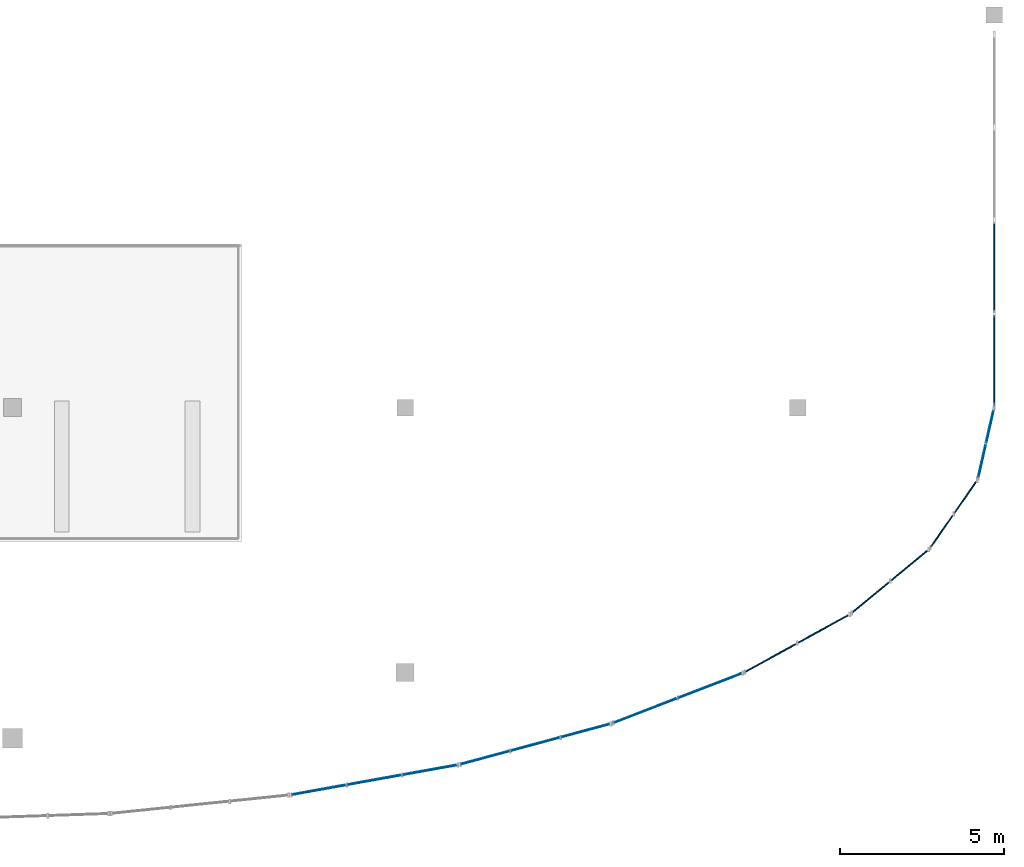
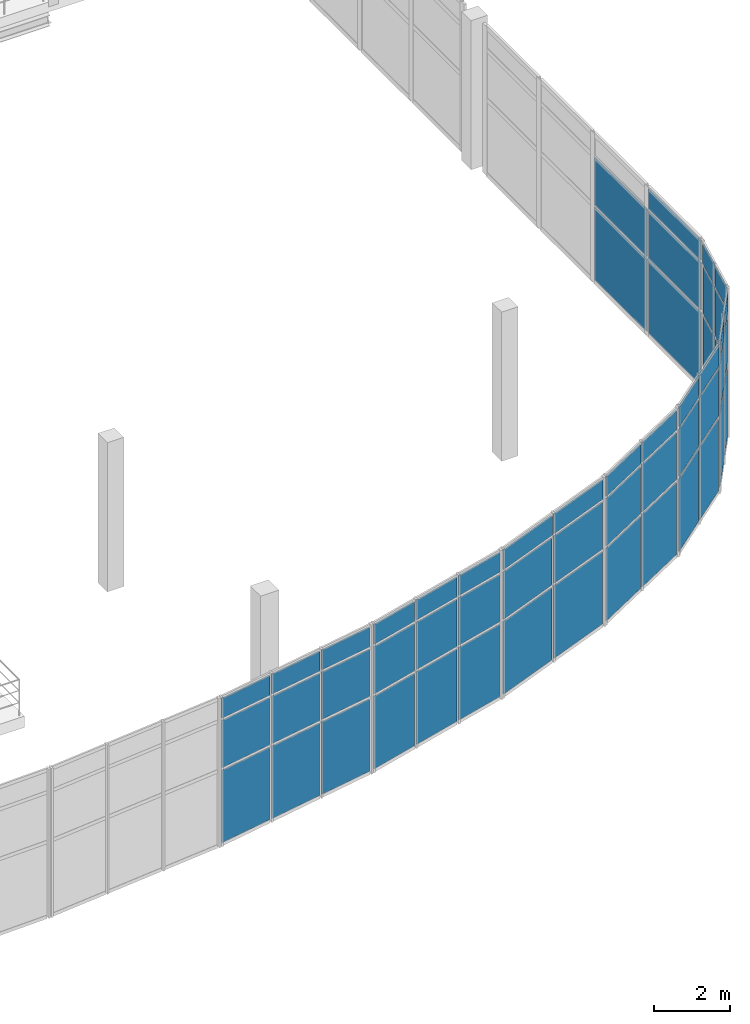
# One storey, part 32 of 52: 53 plates, 8 elements without a shape of their own.
"""IFC4 building model written with IfcOpenShell, lengths in metres."""

from ifc_helpers import new_model, si_unit, direction, frame, origin, origin_2d, place, context, subcontext, project, spatial, rectangle, extrude, material, layer, layer_set, type_object, element, aggregate, save


model = new_model("IFC4")

# Units and contexts
model_context = context("Model", 3, precision=1e-05, world=origin(), true_north=direction((0.0, 1.0)))
body_context = subcontext(model_context, "Body", "Model", "MODEL_VIEW")
ifc_project = project(units=[si_unit("LENGTHUNIT", "METRE"), si_unit("AREAUNIT", "SQUARE_METRE"), si_unit("VOLUMEUNIT", "CUBIC_METRE"), si_unit("PLANEANGLEUNIT", "RADIAN"), si_unit("MASSUNIT", "GRAM", prefix="KILO"), si_unit("THERMODYNAMICTEMPERATUREUNIT", "KELVIN"), si_unit("POWERUNIT", "WATT")], contexts=[model_context])

# Site, building, storey
site_placement = place(None, origin())
site = spatial("IfcSite", under=ifc_project, at=site_placement, CompositionType="ELEMENT")
building_placement = place(site_placement, origin())
building = spatial("IfcBuilding", under=site, at=building_placement, Name="Solmara Park Aquatics Centre", CompositionType="ELEMENT")
storey_placement = place(building_placement, frame((0.0, 0.0, 9.60009765625)))
storey = spatial("IfcBuildingStorey", under=building, at=storey_placement, Name="L02", CompositionType="ELEMENT", Elevation=9.60009765625)

# Curtain wall, plates
ifc_material_1 = material(Name="Anodised Aluminium Curtain Wall Framing", Category="aluminium")
curtain_wall_type = type_object("IfcCurtainWallType", Name="ARC-CW-SYS03", PredefinedType="USERDEFINED", material=ifc_material_1)
curtain_wall_1_placement = place(storey_placement, origin())
curtain_wall_1 = element("IfcCurtainWall", 1, at=curtain_wall_1_placement, inside=storey, type_object=curtain_wall_type, Name="Curtain Wall CW-072", ObjectType="CURTAIN WALL", PredefinedType="USERDEFINED")
ifc_material_2 = material(Name="Acoustic Laminated Glazing", Category="glass")
ifc_layer_1 = layer(ifc_material_2, 0.028076171875, Name="Acoustic Laminated Glazing")
ifc_layer_set_1 = layer_set([ifc_layer_1], Name="Acoustic Laminated Glazing")
plate_type_1 = type_object("IfcPlateType", Name="ARC-CWP-GLZ28-1000x1520", PredefinedType="CURTAIN_PANEL", material=ifc_layer_set_1)
plate_1_placement = place(storey_placement, frame((161.62744140625, 10.958984375, 2.489990234375), z_axis=(0.0, 0.0, 1.0), x_axis=(0.22142084897, 0.975178346582, 0.0)))
plate_1 = element("IfcPlate", 2, at=plate_1_placement, type_object=plate_type_1, Name="CW-072 panel 2", PredefinedType="CURTAIN_PANEL", context=body_context, shape_type="SweptSolid", body=[
    extrude(rectangle(XDim=1.001953125, YDim=0.028076171875, at=origin_2d()), origin(), (0.0, 0.0, 1.0), 1.52001953125),
])
plate_2_placement = place(storey_placement, frame((161.866943359375, 12.013916015625, 2.489990234375), z_axis=(0.0, 0.0, 1.0), x_axis=(0.22142084897, 0.975178346582, 0.0)))
plate_2 = element("IfcPlate", 3, at=plate_2_placement, type_object=plate_type_1, Name="CW-072 panel 5", PredefinedType="CURTAIN_PANEL", context=body_context, shape_type="SweptSolid", body=[
    extrude(rectangle(XDim=1.001953125, YDim=0.028076171875, at=origin_2d()), origin(), (0.0, 0.0, 1.0), 1.52001953125),
])
ifc_layer_2 = layer(ifc_material_2, 0.028076171875, Name="Acoustic Laminated Glazing")
ifc_layer_set_2 = layer_set([ifc_layer_2], Name="Acoustic Laminated Glazing")
plate_type_2 = type_object("IfcPlateType", Name="ARC-CWP-GLZ28-1000x2320", PredefinedType="CURTAIN_PANEL", material=ifc_layer_set_2)
plate_3_placement = place(storey_placement, frame((161.62744140625, 10.958984375, 0.079833984375), z_axis=(0.0, 0.0, 1.0), x_axis=(0.22142084897, 0.975178346582, 0.0)))
plate_3 = element("IfcPlate", 4, at=plate_3_placement, type_object=plate_type_2, Name="CW-072 panel 1", PredefinedType="CURTAIN_PANEL", context=body_context, shape_type="SweptSolid", body=[
    extrude(rectangle(XDim=1.001953125, YDim=0.028076171875, at=origin_2d()), origin(), (0.0, 0.0, 1.0), 2.330078125),
])
plate_4_placement = place(storey_placement, frame((161.866943359375, 12.013916015625, 0.079833984375), z_axis=(0.0, 0.0, 1.0), x_axis=(0.22142084897, 0.975178346582, 0.0)))
plate_4 = element("IfcPlate", 5, at=plate_4_placement, type_object=plate_type_2, Name="CW-072 panel 4", PredefinedType="CURTAIN_PANEL", context=body_context, shape_type="SweptSolid", body=[
    extrude(rectangle(XDim=1.001953125, YDim=0.028076171875, at=origin_2d()), origin(), (0.0, 0.0, 1.0), 2.330078125),
])

curtain_wall_2_placement = place(storey_placement, origin())
curtain_wall_2 = element("IfcCurtainWall", 6, at=curtain_wall_2_placement, inside=storey, type_object=curtain_wall_type, Name="Curtain Wall CW-069", ObjectType="CURTAIN WALL", PredefinedType="USERDEFINED")
ifc_layer_3 = layer(ifc_material_2, 0.028076171875, Name="Acoustic Laminated Glazing")
ifc_layer_set_3 = layer_set([ifc_layer_3], Name="Acoustic Laminated Glazing")
plate_type_3 = type_object("IfcPlateType", Name="ARC-CWP-GLZ28-1180x1520", PredefinedType="CURTAIN_PANEL", material=ifc_layer_set_3)
plate_5_placement = place(storey_placement, frame((160.396728515625, 8.82080078125, 2.489990234375), z_axis=(0.0, 0.0, 1.0), x_axis=(0.570927091568, 0.821000764989, 0.0)))
plate_5 = element("IfcPlate", 7, at=plate_5_placement, type_object=plate_type_3, Name="CW-069 panel 2", PredefinedType="CURTAIN_PANEL", context=body_context, shape_type="SweptSolid", body=[
    extrude(rectangle(XDim=1.172119140625, YDim=0.028076171875, at=origin_2d()), origin(), (0.0, 0.0, 1.0), 1.52001953125),
])
plate_6_placement = place(storey_placement, frame((161.111572265625, 9.848876953125, 2.489990234375), z_axis=(0.0, 0.0, 1.0), x_axis=(0.570927091568, 0.821000764989, 0.0)))
plate_6 = element("IfcPlate", 8, at=plate_6_placement, type_object=plate_type_3, Name="CW-069 panel 5", PredefinedType="CURTAIN_PANEL", context=body_context, shape_type="SweptSolid", body=[
    extrude(rectangle(XDim=1.172119140625, YDim=0.028076171875, at=origin_2d()), origin(), (0.0, 0.0, 1.0), 1.52001953125),
])
ifc_layer_4 = layer(ifc_material_2, 0.028076171875, Name="Acoustic Laminated Glazing")
ifc_layer_set_4 = layer_set([ifc_layer_4], Name="Acoustic Laminated Glazing")
plate_type_4 = type_object("IfcPlateType", Name="ARC-CWP-GLZ28-1180x2320", PredefinedType="CURTAIN_PANEL", material=ifc_layer_set_4)
plate_7_placement = place(storey_placement, frame((160.396728515625, 8.82080078125, 0.079833984375), z_axis=(0.0, 0.0, 1.0), x_axis=(0.570927091568, 0.821000764989, 0.0)))
plate_7 = element("IfcPlate", 9, at=plate_7_placement, type_object=plate_type_4, Name="CW-069 panel 1", PredefinedType="CURTAIN_PANEL", context=body_context, shape_type="SweptSolid", body=[
    extrude(rectangle(XDim=1.172119140625, YDim=0.028076171875, at=origin_2d()), origin(), (0.0, 0.0, 1.0), 2.330078125),
])
plate_8_placement = place(storey_placement, frame((161.111572265625, 9.848876953125, 0.079833984375), z_axis=(0.0, 0.0, 1.0), x_axis=(0.570927091568, 0.821000764989, 0.0)))
plate_8 = element("IfcPlate", 10, at=plate_8_placement, type_object=plate_type_4, Name="CW-069 panel 4", PredefinedType="CURTAIN_PANEL", context=body_context, shape_type="SweptSolid", body=[
    extrude(rectangle(XDim=1.172119140625, YDim=0.028076171875, at=origin_2d()), origin(), (0.0, 0.0, 1.0), 2.330078125),
])

curtain_wall_3_placement = place(storey_placement, origin())
curtain_wall_3 = element("IfcCurtainWall", 11, at=curtain_wall_3_placement, inside=storey, type_object=curtain_wall_type, Name="Curtain Wall CW-066", ObjectType="CURTAIN WALL", PredefinedType="USERDEFINED")
ifc_layer_5 = layer(ifc_material_2, 0.028076171875, Name="Acoustic Laminated Glazing")
ifc_layer_set_5 = layer_set([ifc_layer_5], Name="Acoustic Laminated Glazing")
plate_type_5 = type_object("IfcPlateType", Name="ARC-CWP-GLZ28-1440x1520", PredefinedType="CURTAIN_PANEL", material=ifc_layer_set_5)
plate_9_placement = place(storey_placement, frame((158.22119140625, 6.797607421875, 2.489990234375), z_axis=(0.0, 0.0, 1.0), x_axis=(0.770876909587, 0.636984136589, 0.0)))
plate_9 = element("IfcPlate", 12, at=plate_9_placement, type_object=plate_type_5, Name="CW-066 panel 2", PredefinedType="CURTAIN_PANEL", context=body_context, shape_type="SweptSolid", body=[
    extrude(rectangle(XDim=1.4423828125, YDim=0.028076171875, at=origin_2d()), origin(), (0.0, 0.0, 1.0), 1.52001953125),
])
plate_10_placement = place(storey_placement, frame((159.394775390625, 7.767333984375, 2.489990234375), z_axis=(0.0, 0.0, 1.0), x_axis=(0.770876909587, 0.636984136589, 0.0)))
plate_10 = element("IfcPlate", 13, at=plate_10_placement, type_object=plate_type_5, Name="CW-066 panel 5", PredefinedType="CURTAIN_PANEL", context=body_context, shape_type="SweptSolid", body=[
    extrude(rectangle(XDim=1.4423828125, YDim=0.028076171875, at=origin_2d()), origin(), (0.0, 0.0, 1.0), 1.52001953125),
])
ifc_layer_6 = layer(ifc_material_2, 0.028076171875, Name="Acoustic Laminated Glazing")
ifc_layer_set_6 = layer_set([ifc_layer_6], Name="Acoustic Laminated Glazing")
plate_type_6 = type_object("IfcPlateType", Name="ARC-CWP-GLZ28-1440x2320", PredefinedType="CURTAIN_PANEL", material=ifc_layer_set_6)
plate_11_placement = place(storey_placement, frame((158.22119140625, 6.797607421875, 0.079833984375), z_axis=(0.0, 0.0, 1.0), x_axis=(0.770876909587, 0.636984136589, 0.0)))
plate_11 = element("IfcPlate", 14, at=plate_11_placement, type_object=plate_type_6, Name="CW-066 panel 1", PredefinedType="CURTAIN_PANEL", context=body_context, shape_type="SweptSolid", body=[
    extrude(rectangle(XDim=1.4423828125, YDim=0.028076171875, at=origin_2d()), origin(), (0.0, 0.0, 1.0), 2.330078125),
])
plate_12_placement = place(storey_placement, frame((159.394775390625, 7.767333984375, 0.079833984375), z_axis=(0.0, 0.0, 1.0), x_axis=(0.770876909587, 0.636984136589, 0.0)))
plate_12 = element("IfcPlate", 15, at=plate_12_placement, type_object=plate_type_6, Name="CW-066 panel 4", PredefinedType="CURTAIN_PANEL", context=body_context, shape_type="SweptSolid", body=[
    extrude(rectangle(XDim=1.4423828125, YDim=0.028076171875, at=origin_2d()), origin(), (0.0, 0.0, 1.0), 2.330078125),
])

curtain_wall_4_placement = place(storey_placement, origin())
curtain_wall_4 = element("IfcCurtainWall", 16, at=curtain_wall_4_placement, inside=storey, type_object=curtain_wall_type, Name="Curtain Wall CW-057", ObjectType="CURTAIN WALL", PredefinedType="USERDEFINED")
ifc_layer_7 = layer(ifc_material_2, 0.028076171875, Name="Acoustic Laminated Glazing")
ifc_layer_set_7 = layer_set([ifc_layer_7], Name="Acoustic Laminated Glazing")
plate_type_7 = type_object("IfcPlateType", Name="ARC-CWP-GLZ28-1500x1520", PredefinedType="CURTAIN_PANEL", material=ifc_layer_set_7)
plate_13_placement = place(storey_placement, frame((146.4345703125, 1.89990234375, 2.489990234375), z_axis=(0.0, 0.0, 1.0), x_axis=(0.965480359779, 0.260475862378, 0.0)))
plate_13 = element("IfcPlate", 17, at=plate_13_placement, type_object=plate_type_7, Name="CW-057 panel 2", PredefinedType="CURTAIN_PANEL", context=body_context, shape_type="SweptSolid", body=[
    extrude(rectangle(XDim=1.50537109375, YDim=0.028076171875, at=origin_2d()), origin(), (0.0, 0.0, 1.0), 1.52001953125),
])
plate_14_placement = place(storey_placement, frame((147.96533203125, 2.312744140625, 2.489990234375), z_axis=(0.0, 0.0, 1.0), x_axis=(0.965480359779, 0.260475862378, 0.0)))
plate_14 = element("IfcPlate", 18, at=plate_14_placement, type_object=plate_type_7, Name="CW-057 panel 5", PredefinedType="CURTAIN_PANEL", context=body_context, shape_type="SweptSolid", body=[
    extrude(rectangle(XDim=1.50537109375, YDim=0.028076171875, at=origin_2d()), origin(), (0.0, 0.0, 1.0), 1.52001953125),
])
plate_15_placement = place(storey_placement, frame((149.495849609375, 2.7255859375, 2.489990234375), z_axis=(0.0, 0.0, 1.0), x_axis=(0.965480359779, 0.260475862378, 0.0)))
plate_15 = element("IfcPlate", 19, at=plate_15_placement, type_object=plate_type_7, Name="CW-057 panel 8", PredefinedType="CURTAIN_PANEL", context=body_context, shape_type="SweptSolid", body=[
    extrude(rectangle(XDim=1.505615234375, YDim=0.028076171875, at=origin_2d()), origin(), (0.0, 0.0, 1.0), 1.52001953125),
])
ifc_layer_8 = layer(ifc_material_2, 0.028076171875, Name="Acoustic Laminated Glazing")
ifc_layer_set_8 = layer_set([ifc_layer_8], Name="Acoustic Laminated Glazing")
plate_type_8 = type_object("IfcPlateType", Name="ARC-CWP-GLZ28-1500x2320", PredefinedType="CURTAIN_PANEL", material=ifc_layer_set_8)
plate_16_placement = place(storey_placement, frame((146.4345703125, 1.89990234375, 0.079833984375), z_axis=(0.0, 0.0, 1.0), x_axis=(0.965480359779, 0.260475862378, 0.0)))
plate_16 = element("IfcPlate", 20, at=plate_16_placement, type_object=plate_type_8, Name="CW-057 panel 1", PredefinedType="CURTAIN_PANEL", context=body_context, shape_type="SweptSolid", body=[
    extrude(rectangle(XDim=1.50537109375, YDim=0.028076171875, at=origin_2d()), origin(), (0.0, 0.0, 1.0), 2.330078125),
])
plate_17_placement = place(storey_placement, frame((147.96533203125, 2.312744140625, 0.079833984375), z_axis=(0.0, 0.0, 1.0), x_axis=(0.965480359779, 0.260475862378, 0.0)))
plate_17 = element("IfcPlate", 21, at=plate_17_placement, type_object=plate_type_8, Name="CW-057 panel 4", PredefinedType="CURTAIN_PANEL", context=body_context, shape_type="SweptSolid", body=[
    extrude(rectangle(XDim=1.50537109375, YDim=0.028076171875, at=origin_2d()), origin(), (0.0, 0.0, 1.0), 2.330078125),
])
plate_18_placement = place(storey_placement, frame((149.495849609375, 2.7255859375, 0.079833984375), z_axis=(0.0, 0.0, 1.0), x_axis=(0.965480359779, 0.260475862378, 0.0)))
plate_18 = element("IfcPlate", 22, at=plate_18_placement, type_object=plate_type_8, Name="CW-057 panel 7", PredefinedType="CURTAIN_PANEL", context=body_context, shape_type="SweptSolid", body=[
    extrude(rectangle(XDim=1.505615234375, YDim=0.028076171875, at=origin_2d()), origin(), (0.0, 0.0, 1.0), 2.330078125),
])

curtain_wall_5_placement = place(storey_placement, origin())
curtain_wall_5 = element("IfcCurtainWall", 23, at=curtain_wall_5_placement, inside=storey, type_object=curtain_wall_type, Name="Curtain Wall CW-054", ObjectType="CURTAIN WALL", PredefinedType="USERDEFINED")
ifc_layer_9 = layer(ifc_material_2, 0.028076171875, Name="Acoustic Laminated Glazing")
ifc_layer_set_9 = layer_set([ifc_layer_9], Name="Acoustic Laminated Glazing")
plate_type_9 = type_object("IfcPlateType", Name="ARC-CWP-GLZ28-1640x1520", PredefinedType="CURTAIN_PANEL", material=ifc_layer_set_9)
plate_19_placement = place(storey_placement, frame((141.351806640625, 0.915771484375, 2.489990234375), z_axis=(0.0, 0.0, 1.0), x_axis=(0.9842385399, 0.176845968502, 0.0)))
plate_19 = element("IfcPlate", 24, at=plate_19_placement, type_object=plate_type_9, Name="CW-054 panel 2", PredefinedType="CURTAIN_PANEL", context=body_context, shape_type="SweptSolid", body=[
    extrude(rectangle(XDim=1.642822265625, YDim=0.028076171875, at=origin_2d()), origin(), (0.0, 0.0, 1.0), 1.52001953125),
])
plate_20_placement = place(storey_placement, frame((143.04736328125, 1.220458984375, 2.489990234375), z_axis=(0.0, 0.0, 1.0), x_axis=(0.9842385399, 0.176845968502, 0.0)))
plate_20 = element("IfcPlate", 25, at=plate_20_placement, type_object=plate_type_9, Name="CW-054 panel 5", PredefinedType="CURTAIN_PANEL", context=body_context, shape_type="SweptSolid", body=[
    extrude(rectangle(XDim=1.642822265625, YDim=0.028076171875, at=origin_2d()), origin(), (0.0, 0.0, 1.0), 1.52001953125),
])
plate_21_placement = place(storey_placement, frame((144.7431640625, 1.525146484375, 2.489990234375), z_axis=(0.0, 0.0, 1.0), x_axis=(0.9842385399, 0.176845968502, 0.0)))
plate_21 = element("IfcPlate", 26, at=plate_21_placement, type_object=plate_type_9, Name="CW-054 panel 8", PredefinedType="CURTAIN_PANEL", context=body_context, shape_type="SweptSolid", body=[
    extrude(rectangle(XDim=1.642822265625, YDim=0.028076171875, at=origin_2d()), origin(), (0.0, 0.0, 1.0), 1.52001953125),
])
ifc_layer_10 = layer(ifc_material_2, 0.028076171875, Name="Acoustic Laminated Glazing")
ifc_layer_set_10 = layer_set([ifc_layer_10], Name="Acoustic Laminated Glazing")
plate_type_10 = type_object("IfcPlateType", Name="ARC-CWP-GLZ28-1640x2320", PredefinedType="CURTAIN_PANEL", material=ifc_layer_set_10)
plate_22_placement = place(storey_placement, frame((141.351806640625, 0.915771484375, 0.079833984375), z_axis=(0.0, 0.0, 1.0), x_axis=(0.9842385399, 0.176845968502, 0.0)))
plate_22 = element("IfcPlate", 27, at=plate_22_placement, type_object=plate_type_10, Name="CW-054 panel 1", PredefinedType="CURTAIN_PANEL", context=body_context, shape_type="SweptSolid", body=[
    extrude(rectangle(XDim=1.642822265625, YDim=0.028076171875, at=origin_2d()), origin(), (0.0, 0.0, 1.0), 2.330078125),
])
plate_23_placement = place(storey_placement, frame((143.04736328125, 1.220458984375, 0.079833984375), z_axis=(0.0, 0.0, 1.0), x_axis=(0.9842385399, 0.176845968502, 0.0)))
plate_23 = element("IfcPlate", 28, at=plate_23_placement, type_object=plate_type_10, Name="CW-054 panel 4", PredefinedType="CURTAIN_PANEL", context=body_context, shape_type="SweptSolid", body=[
    extrude(rectangle(XDim=1.642822265625, YDim=0.028076171875, at=origin_2d()), origin(), (0.0, 0.0, 1.0), 2.330078125),
])
plate_24_placement = place(storey_placement, frame((144.7431640625, 1.525146484375, 0.079833984375), z_axis=(0.0, 0.0, 1.0), x_axis=(0.9842385399, 0.176845968502, 0.0)))
plate_24 = element("IfcPlate", 29, at=plate_24_placement, type_object=plate_type_10, Name="CW-054 panel 7", PredefinedType="CURTAIN_PANEL", context=body_context, shape_type="SweptSolid", body=[
    extrude(rectangle(XDim=1.642822265625, YDim=0.028076171875, at=origin_2d()), origin(), (0.0, 0.0, 1.0), 2.330078125),
])

curtain_wall_6_placement = place(storey_placement, origin())
curtain_wall_6 = element("IfcCurtainWall", 30, at=curtain_wall_6_placement, inside=storey, type_object=curtain_wall_type, Name="Curtain Wall CW-063", ObjectType="CURTAIN WALL", PredefinedType="USERDEFINED")
ifc_layer_11 = layer(ifc_material_2, 0.028076171875, Name="Acoustic Laminated Glazing")
ifc_layer_set_11 = layer_set([ifc_layer_11], Name="Acoustic Laminated Glazing")
plate_type_11 = type_object("IfcPlateType", Name="ARC-CWP-GLZ28-1740x1520", PredefinedType="CURTAIN_PANEL", material=ifc_layer_set_11)
plate_25_placement = place(storey_placement, frame((155.1669921875, 4.95068359375, 2.489990234375), z_axis=(0.0, 0.0, 1.0), x_axis=(0.876104806664, 0.482120698311, 0.0)))
plate_25 = element("IfcPlate", 31, at=plate_25_placement, type_object=plate_type_11, Name="CW-063 panel 2", PredefinedType="CURTAIN_PANEL", context=body_context, shape_type="SweptSolid", body=[
    extrude(rectangle(XDim=1.745849609375, YDim=0.028076171875, at=origin_2d()), origin(), (0.0, 0.0, 1.0), 1.52001953125),
])
plate_26_placement = place(storey_placement, frame((156.7666015625, 5.830810546875, 2.489990234375), z_axis=(0.0, 0.0, 1.0), x_axis=(0.876104806664, 0.482120698311, 0.0)))
plate_26 = element("IfcPlate", 32, at=plate_26_placement, type_object=plate_type_11, Name="CW-063 panel 5", PredefinedType="CURTAIN_PANEL", context=body_context, shape_type="SweptSolid", body=[
    extrude(rectangle(XDim=1.745849609375, YDim=0.028076171875, at=origin_2d()), origin(), (0.0, 0.0, 1.0), 1.52001953125),
])
ifc_layer_12 = layer(ifc_material_2, 0.028076171875, Name="Acoustic Laminated Glazing")
ifc_layer_set_12 = layer_set([ifc_layer_12], Name="Acoustic Laminated Glazing")
plate_type_12 = type_object("IfcPlateType", Name="ARC-CWP-GLZ28-1740x2320", PredefinedType="CURTAIN_PANEL", material=ifc_layer_set_12)
plate_27_placement = place(storey_placement, frame((155.1669921875, 4.95068359375, 0.079833984375), z_axis=(0.0, 0.0, 1.0), x_axis=(0.876104806664, 0.482120698311, 0.0)))
plate_27 = element("IfcPlate", 33, at=plate_27_placement, type_object=plate_type_12, Name="CW-063 panel 1", PredefinedType="CURTAIN_PANEL", context=body_context, shape_type="SweptSolid", body=[
    extrude(rectangle(XDim=1.745849609375, YDim=0.028076171875, at=origin_2d()), origin(), (0.0, 0.0, 1.0), 2.330078125),
])
plate_28_placement = place(storey_placement, frame((156.7666015625, 5.830810546875, 0.079833984375), z_axis=(0.0, 0.0, 1.0), x_axis=(0.876104806664, 0.482120698311, 0.0)))
plate_28 = element("IfcPlate", 34, at=plate_28_placement, type_object=plate_type_12, Name="CW-063 panel 4", PredefinedType="CURTAIN_PANEL", context=body_context, shape_type="SweptSolid", body=[
    extrude(rectangle(XDim=1.745849609375, YDim=0.028076171875, at=origin_2d()), origin(), (0.0, 0.0, 1.0), 2.330078125),
])

curtain_wall_7_placement = place(storey_placement, origin())
curtain_wall_7 = element("IfcCurtainWall", 35, at=curtain_wall_7_placement, inside=storey, type_object=curtain_wall_type, Name="Curtain Wall CW-060", ObjectType="CURTAIN WALL", PredefinedType="USERDEFINED")
ifc_layer_13 = layer(ifc_material_2, 0.028076171875, Name="Acoustic Laminated Glazing")
ifc_layer_set_13 = layer_set([ifc_layer_13], Name="Acoustic Laminated Glazing")
plate_type_13 = type_object("IfcPlateType", Name="ARC-CWP-GLZ28-2040x1520", PredefinedType="CURTAIN_PANEL", material=ifc_layer_set_13)
plate_29_placement = place(storey_placement, frame((151.326904296875, 3.336181640625, 2.489990234375), z_axis=(0.0, 0.0, 1.0), x_axis=(0.933119937966, 0.35956526719, 0.0)))
plate_29 = element("IfcPlate", 36, at=plate_29_placement, type_object=plate_type_13, Name="CW-060 panel 2", PredefinedType="CURTAIN_PANEL", context=body_context, shape_type="SweptSolid", body=[
    extrude(rectangle(XDim=2.039794921875, YDim=0.028076171875, at=origin_2d()), origin(), (0.0, 0.0, 1.0), 1.52001953125),
])
plate_30_placement = place(storey_placement, frame((153.3046875, 4.09814453125, 2.489990234375), z_axis=(0.0, 0.0, 1.0), x_axis=(0.933119937966, 0.35956526719, 0.0)))
plate_30 = element("IfcPlate", 37, at=plate_30_placement, type_object=plate_type_13, Name="CW-060 panel 5", PredefinedType="CURTAIN_PANEL", context=body_context, shape_type="SweptSolid", body=[
    extrude(rectangle(XDim=2.039794921875, YDim=0.028076171875, at=origin_2d()), origin(), (0.0, 0.0, 1.0), 1.52001953125),
])
ifc_layer_14 = layer(ifc_material_2, 0.028076171875, Name="Acoustic Laminated Glazing")
ifc_layer_set_14 = layer_set([ifc_layer_14], Name="Acoustic Laminated Glazing")
plate_type_14 = type_object("IfcPlateType", Name="ARC-CWP-GLZ28-2040x2320", PredefinedType="CURTAIN_PANEL", material=ifc_layer_set_14)
plate_31_placement = place(storey_placement, frame((151.326904296875, 3.336181640625, 0.079833984375), z_axis=(0.0, 0.0, 1.0), x_axis=(0.933119937966, 0.35956526719, 0.0)))
plate_31 = element("IfcPlate", 38, at=plate_31_placement, type_object=plate_type_14, Name="CW-060 panel 1", PredefinedType="CURTAIN_PANEL", context=body_context, shape_type="SweptSolid", body=[
    extrude(rectangle(XDim=2.039794921875, YDim=0.028076171875, at=origin_2d()), origin(), (0.0, 0.0, 1.0), 2.330078125),
])
plate_32_placement = place(storey_placement, frame((153.3046875, 4.09814453125, 0.079833984375), z_axis=(0.0, 0.0, 1.0), x_axis=(0.933119937966, 0.35956526719, 0.0)))
plate_32 = element("IfcPlate", 39, at=plate_32_placement, type_object=plate_type_14, Name="CW-060 panel 4", PredefinedType="CURTAIN_PANEL", context=body_context, shape_type="SweptSolid", body=[
    extrude(rectangle(XDim=2.039794921875, YDim=0.028076171875, at=origin_2d()), origin(), (0.0, 0.0, 1.0), 2.330078125),
])

curtain_wall_8_placement = place(storey_placement, origin())
curtain_wall_8 = element("IfcCurtainWall", 40, at=curtain_wall_8_placement, inside=storey, type_object=curtain_wall_type, Name="Curtain Wall CW-076", ObjectType="CURTAIN WALL", PredefinedType="USERDEFINED")
ifc_material_3 = material(Name="Double Low-E Solar-Control Glazing", Category="glass")
ifc_layer_15 = layer(ifc_material_3, 0.035888671875, Name="Double Low-E Solar-Control Glazing")
ifc_layer_set_15 = layer_set([ifc_layer_15], Name="Double Low-E Solar-Control Glazing")
plate_type_15 = type_object("IfcPlateType", Name="ARC-CWP-GLZ36-2760x1520", PredefinedType="CURTAIN_PANEL", material=ifc_layer_set_15)
plate_33_placement = place(storey_placement, frame((162.0, 14.0400390625, 2.489990234375), z_axis=(0.0, 0.0, 1.0), x_axis=(0.0, 1.0, 0.0)))
plate_33 = element("IfcPlate", 41, at=plate_33_placement, type_object=plate_type_15, Name="CW-076 panel 2", PredefinedType="CURTAIN_PANEL", context=body_context, shape_type="SweptSolid", body=[
    extrude(rectangle(XDim=2.760009765625, YDim=0.035888671875, at=origin_2d()), origin(), (0.0, 0.0, 1.0), 1.52001953125),
])
plate_34_placement = place(storey_placement, frame((162.0, 16.8798828125, 2.489990234375), z_axis=(0.0, 0.0, 1.0), x_axis=(0.0, 1.0, 0.0)))
plate_34 = element("IfcPlate", 42, at=plate_34_placement, type_object=plate_type_15, Name="CW-076 panel 5", PredefinedType="CURTAIN_PANEL", context=body_context, shape_type="SweptSolid", body=[
    extrude(rectangle(XDim=2.760009765625, YDim=0.035888671875, at=origin_2d()), origin(), (0.0, 0.0, 1.0), 1.52001953125),
])
ifc_layer_16 = layer(ifc_material_3, 0.035888671875, Name="Double Low-E Solar-Control Glazing")
ifc_layer_set_16 = layer_set([ifc_layer_16], Name="Double Low-E Solar-Control Glazing")
plate_type_16 = type_object("IfcPlateType", Name="ARC-CWP-GLZ36-2760x2320", PredefinedType="CURTAIN_PANEL", material=ifc_layer_set_16)
plate_35_placement = place(storey_placement, frame((162.0, 14.0400390625, 0.079833984375), z_axis=(0.0, 0.0, 1.0), x_axis=(0.0, 1.0, 0.0)))
plate_35 = element("IfcPlate", 43, at=plate_35_placement, type_object=plate_type_16, Name="CW-076 panel 1", PredefinedType="CURTAIN_PANEL", context=body_context, shape_type="SweptSolid", body=[
    extrude(rectangle(XDim=2.760009765625, YDim=0.035888671875, at=origin_2d()), origin(), (0.0, 0.0, 1.0), 2.330078125),
])
plate_36_placement = place(storey_placement, frame((162.0, 16.8798828125, 0.079833984375), z_axis=(0.0, 0.0, 1.0), x_axis=(0.0, 1.0, 0.0)))
plate_36 = element("IfcPlate", 44, at=plate_36_placement, type_object=plate_type_16, Name="CW-076 panel 4", PredefinedType="CURTAIN_PANEL", context=body_context, shape_type="SweptSolid", body=[
    extrude(rectangle(XDim=2.760009765625, YDim=0.035888671875, at=origin_2d()), origin(), (0.0, 0.0, 1.0), 2.330078125),
])

# Plate
ifc_material_4 = material(Name="Golden-Ochre Enamelled Aluminium Fascia Panel", Category="aluminium")
ifc_layer_17 = layer(ifc_material_4, 0.0400390625, Name="Golden-Ochre Enamelled Aluminium Fascia Panel")
ifc_layer_set_17 = layer_set([ifc_layer_17], Name="Golden-Ochre Enamelled Aluminium Fascia Panel")
plate_type_17 = type_object("IfcPlateType", Name="ARC-CWP-OCH40-1000x640", PredefinedType="CURTAIN_PANEL", material=ifc_layer_set_17)
plate_37_placement = place(storey_placement, frame((161.62744140625, 10.958984375, 4.08984375), z_axis=(0.0, 0.0, 1.0), x_axis=(0.22142084897, 0.975178346582, 0.0)))
plate_37 = element("IfcPlate", 45, at=plate_37_placement, type_object=plate_type_17, Name="CW-072 panel 3", PredefinedType="CURTAIN_PANEL", context=body_context, shape_type="SweptSolid", body=[
    extrude(rectangle(XDim=1.001953125, YDim=0.0400390625, at=origin_2d()), origin(), (0.0, 0.0, 1.0), 0.6298828125),
])

plate_38_placement = place(storey_placement, frame((161.866943359375, 12.013916015625, 4.08984375), z_axis=(0.0, 0.0, 1.0), x_axis=(0.22142084897, 0.975178346582, 0.0)))
plate_38 = element("IfcPlate", 46, at=plate_38_placement, type_object=plate_type_17, Name="CW-072 panel 6", PredefinedType="CURTAIN_PANEL", context=body_context, shape_type="SweptSolid", body=[
    extrude(rectangle(XDim=1.001953125, YDim=0.0400390625, at=origin_2d()), origin(), (0.0, 0.0, 1.0), 0.6298828125),
])

aggregate(curtain_wall_1, [plate_3, plate_1, plate_37, plate_4, plate_2, plate_38])

ifc_layer_18 = layer(ifc_material_4, 0.0400390625, Name="Golden-Ochre Enamelled Aluminium Fascia Panel")
ifc_layer_set_18 = layer_set([ifc_layer_18], Name="Golden-Ochre Enamelled Aluminium Fascia Panel")
plate_type_18 = type_object("IfcPlateType", Name="ARC-CWP-OCH40-2040x640", PredefinedType="CURTAIN_PANEL", material=ifc_layer_set_18)
plate_39_placement = place(storey_placement, frame((151.326904296875, 3.336181640625, 4.08984375), z_axis=(0.0, 0.0, 1.0), x_axis=(0.933119937966, 0.35956526719, 0.0)))
plate_39 = element("IfcPlate", 47, at=plate_39_placement, type_object=plate_type_18, Name="CW-060 panel 3", PredefinedType="CURTAIN_PANEL", context=body_context, shape_type="SweptSolid", body=[
    extrude(rectangle(XDim=2.039794921875, YDim=0.0400390625, at=origin_2d()), origin(), (0.0, 0.0, 1.0), 0.6298828125),
])

plate_40_placement = place(storey_placement, frame((153.3046875, 4.09814453125, 4.08984375), z_axis=(0.0, 0.0, 1.0), x_axis=(0.933119937966, 0.35956526719, 0.0)))
plate_40 = element("IfcPlate", 48, at=plate_40_placement, type_object=plate_type_18, Name="CW-060 panel 6", PredefinedType="CURTAIN_PANEL", context=body_context, shape_type="SweptSolid", body=[
    extrude(rectangle(XDim=2.039794921875, YDim=0.0400390625, at=origin_2d()), origin(), (0.0, 0.0, 1.0), 0.6298828125),
])

aggregate(curtain_wall_7, [plate_31, plate_29, plate_39, plate_32, plate_30, plate_40])

ifc_layer_19 = layer(ifc_material_4, 0.0400390625, Name="Golden-Ochre Enamelled Aluminium Fascia Panel")
ifc_layer_set_19 = layer_set([ifc_layer_19], Name="Golden-Ochre Enamelled Aluminium Fascia Panel")
plate_type_19 = type_object("IfcPlateType", Name="ARC-CWP-OCH40-2760x640", PredefinedType="CURTAIN_PANEL", material=ifc_layer_set_19)
plate_41_placement = place(storey_placement, frame((162.0, 14.0400390625, 4.08984375), z_axis=(0.0, 0.0, 1.0), x_axis=(0.0, 1.0, 0.0)))
plate_41 = element("IfcPlate", 49, at=plate_41_placement, type_object=plate_type_19, Name="CW-076 panel 3", PredefinedType="CURTAIN_PANEL", context=body_context, shape_type="SweptSolid", body=[
    extrude(rectangle(XDim=2.760009765625, YDim=0.0400390625, at=origin_2d()), origin(), (0.0, 0.0, 1.0), 0.6298828125),
])

aggregate(curtain_wall_8, [plate_35, plate_33, plate_41, plate_36, plate_34])

ifc_material_5 = material(Name="Insulated Anodised Aluminium Spandrel Panel", Category="aluminium")
ifc_layer_20 = layer(ifc_material_5, 0.0439453125, Name="Insulated Anodised Aluminium Spandrel Panel")
ifc_layer_set_20 = layer_set([ifc_layer_20], Name="Insulated Anodised Aluminium Spandrel Panel")
plate_type_20 = type_object("IfcPlateType", Name="ARC-CWP-SPN44-1180x640", PredefinedType="CURTAIN_PANEL", material=ifc_layer_set_20)
plate_42_placement = place(storey_placement, frame((160.396728515625, 8.82080078125, 4.08984375), z_axis=(0.0, 0.0, 1.0), x_axis=(0.570927091568, 0.821000764989, 0.0)))
plate_42 = element("IfcPlate", 50, at=plate_42_placement, type_object=plate_type_20, Name="CW-069 panel 3", PredefinedType="CURTAIN_PANEL", context=body_context, shape_type="SweptSolid", body=[
    extrude(rectangle(XDim=1.172119140625, YDim=0.0439453125, at=origin_2d()), origin(), (0.0, 0.0, 1.0), 0.6298828125),
])

plate_43_placement = place(storey_placement, frame((161.111572265625, 9.848876953125, 4.08984375), z_axis=(0.0, 0.0, 1.0), x_axis=(0.570927091568, 0.821000764989, 0.0)))
plate_43 = element("IfcPlate", 51, at=plate_43_placement, type_object=plate_type_20, Name="CW-069 panel 6", PredefinedType="CURTAIN_PANEL", context=body_context, shape_type="SweptSolid", body=[
    extrude(rectangle(XDim=1.172119140625, YDim=0.0439453125, at=origin_2d()), origin(), (0.0, 0.0, 1.0), 0.6298828125),
])

aggregate(curtain_wall_2, [plate_7, plate_5, plate_42, plate_8, plate_6, plate_43])

ifc_layer_21 = layer(ifc_material_5, 0.0439453125, Name="Insulated Anodised Aluminium Spandrel Panel")
ifc_layer_set_21 = layer_set([ifc_layer_21], Name="Insulated Anodised Aluminium Spandrel Panel")
plate_type_21 = type_object("IfcPlateType", Name="ARC-CWP-SPN44-1440x640", PredefinedType="CURTAIN_PANEL", material=ifc_layer_set_21)
plate_44_placement = place(storey_placement, frame((158.22119140625, 6.797607421875, 4.08984375), z_axis=(0.0, 0.0, 1.0), x_axis=(0.770876909587, 0.636984136589, 0.0)))
plate_44 = element("IfcPlate", 52, at=plate_44_placement, type_object=plate_type_21, Name="CW-066 panel 3", PredefinedType="CURTAIN_PANEL", context=body_context, shape_type="SweptSolid", body=[
    extrude(rectangle(XDim=1.4423828125, YDim=0.0439453125, at=origin_2d()), origin(), (0.0, 0.0, 1.0), 0.6298828125),
])

plate_45_placement = place(storey_placement, frame((159.394775390625, 7.767333984375, 4.08984375), z_axis=(0.0, 0.0, 1.0), x_axis=(0.770876909587, 0.636984136589, 0.0)))
plate_45 = element("IfcPlate", 53, at=plate_45_placement, type_object=plate_type_21, Name="CW-066 panel 6", PredefinedType="CURTAIN_PANEL", context=body_context, shape_type="SweptSolid", body=[
    extrude(rectangle(XDim=1.4423828125, YDim=0.0439453125, at=origin_2d()), origin(), (0.0, 0.0, 1.0), 0.6298828125),
])

aggregate(curtain_wall_3, [plate_11, plate_9, plate_44, plate_12, plate_10, plate_45])

ifc_layer_22 = layer(ifc_material_5, 0.0439453125, Name="Insulated Anodised Aluminium Spandrel Panel")
ifc_layer_set_22 = layer_set([ifc_layer_22], Name="Insulated Anodised Aluminium Spandrel Panel")
plate_type_22 = type_object("IfcPlateType", Name="ARC-CWP-SPN44-1500x640", PredefinedType="CURTAIN_PANEL", material=ifc_layer_set_22)
plate_46_placement = place(storey_placement, frame((146.4345703125, 1.89990234375, 4.08984375), z_axis=(0.0, 0.0, 1.0), x_axis=(0.965480359779, 0.260475862378, 0.0)))
plate_46 = element("IfcPlate", 54, at=plate_46_placement, type_object=plate_type_22, Name="CW-057 panel 3", PredefinedType="CURTAIN_PANEL", context=body_context, shape_type="SweptSolid", body=[
    extrude(rectangle(XDim=1.50537109375, YDim=0.0439453125, at=origin_2d()), origin(), (0.0, 0.0, 1.0), 0.6298828125),
])

plate_47_placement = place(storey_placement, frame((147.96533203125, 2.312744140625, 4.08984375), z_axis=(0.0, 0.0, 1.0), x_axis=(0.965480359779, 0.260475862378, 0.0)))
plate_47 = element("IfcPlate", 55, at=plate_47_placement, type_object=plate_type_22, Name="CW-057 panel 6", PredefinedType="CURTAIN_PANEL", context=body_context, shape_type="SweptSolid", body=[
    extrude(rectangle(XDim=1.50537109375, YDim=0.0439453125, at=origin_2d()), origin(), (0.0, 0.0, 1.0), 0.6298828125),
])

plate_48_placement = place(storey_placement, frame((149.495849609375, 2.7255859375, 4.08984375), z_axis=(0.0, 0.0, 1.0), x_axis=(0.965480359779, 0.260475862378, 0.0)))
plate_48 = element("IfcPlate", 56, at=plate_48_placement, type_object=plate_type_22, Name="CW-057 panel 9", PredefinedType="CURTAIN_PANEL", context=body_context, shape_type="SweptSolid", body=[
    extrude(rectangle(XDim=1.505615234375, YDim=0.0439453125, at=origin_2d()), origin(), (0.0, 0.0, 1.0), 0.6298828125),
])

aggregate(curtain_wall_4, [plate_16, plate_13, plate_46, plate_17, plate_14, plate_47, plate_18, plate_15, plate_48])

ifc_layer_23 = layer(ifc_material_5, 0.0439453125, Name="Insulated Anodised Aluminium Spandrel Panel")
ifc_layer_set_23 = layer_set([ifc_layer_23], Name="Insulated Anodised Aluminium Spandrel Panel")
plate_type_23 = type_object("IfcPlateType", Name="ARC-CWP-SPN44-1640x640", PredefinedType="CURTAIN_PANEL", material=ifc_layer_set_23)
plate_49_placement = place(storey_placement, frame((141.351806640625, 0.915771484375, 4.08984375), z_axis=(0.0, 0.0, 1.0), x_axis=(0.9842385399, 0.176845968502, 0.0)))
plate_49 = element("IfcPlate", 57, at=plate_49_placement, type_object=plate_type_23, Name="CW-054 panel 3", PredefinedType="CURTAIN_PANEL", context=body_context, shape_type="SweptSolid", body=[
    extrude(rectangle(XDim=1.642822265625, YDim=0.0439453125, at=origin_2d()), origin(), (0.0, 0.0, 1.0), 0.6298828125),
])

plate_50_placement = place(storey_placement, frame((143.04736328125, 1.220458984375, 4.08984375), z_axis=(0.0, 0.0, 1.0), x_axis=(0.9842385399, 0.176845968502, 0.0)))
plate_50 = element("IfcPlate", 58, at=plate_50_placement, type_object=plate_type_23, Name="CW-054 panel 6", PredefinedType="CURTAIN_PANEL", context=body_context, shape_type="SweptSolid", body=[
    extrude(rectangle(XDim=1.642822265625, YDim=0.0439453125, at=origin_2d()), origin(), (0.0, 0.0, 1.0), 0.6298828125),
])

plate_51_placement = place(storey_placement, frame((144.7431640625, 1.525146484375, 4.08984375), z_axis=(0.0, 0.0, 1.0), x_axis=(0.9842385399, 0.176845968502, 0.0)))
plate_51 = element("IfcPlate", 59, at=plate_51_placement, type_object=plate_type_23, Name="CW-054 panel 9", PredefinedType="CURTAIN_PANEL", context=body_context, shape_type="SweptSolid", body=[
    extrude(rectangle(XDim=1.642822265625, YDim=0.0439453125, at=origin_2d()), origin(), (0.0, 0.0, 1.0), 0.6298828125),
])

aggregate(curtain_wall_5, [plate_22, plate_19, plate_49, plate_23, plate_20, plate_50, plate_24, plate_21, plate_51])

ifc_layer_24 = layer(ifc_material_5, 0.0439453125, Name="Insulated Anodised Aluminium Spandrel Panel")
ifc_layer_set_24 = layer_set([ifc_layer_24], Name="Insulated Anodised Aluminium Spandrel Panel")
plate_type_24 = type_object("IfcPlateType", Name="ARC-CWP-SPN44-1740x640", PredefinedType="CURTAIN_PANEL", material=ifc_layer_set_24)
plate_52_placement = place(storey_placement, frame((155.1669921875, 4.95068359375, 4.08984375), z_axis=(0.0, 0.0, 1.0), x_axis=(0.876104806664, 0.482120698311, 0.0)))
plate_52 = element("IfcPlate", 60, at=plate_52_placement, type_object=plate_type_24, Name="CW-063 panel 3", PredefinedType="CURTAIN_PANEL", context=body_context, shape_type="SweptSolid", body=[
    extrude(rectangle(XDim=1.745849609375, YDim=0.0439453125, at=origin_2d()), origin(), (0.0, 0.0, 1.0), 0.6298828125),
])

plate_53_placement = place(storey_placement, frame((156.7666015625, 5.830810546875, 4.08984375), z_axis=(0.0, 0.0, 1.0), x_axis=(0.876104806664, 0.482120698311, 0.0)))
plate_53 = element("IfcPlate", 61, at=plate_53_placement, type_object=plate_type_24, Name="CW-063 panel 6", PredefinedType="CURTAIN_PANEL", context=body_context, shape_type="SweptSolid", body=[
    extrude(rectangle(XDim=1.745849609375, YDim=0.0439453125, at=origin_2d()), origin(), (0.0, 0.0, 1.0), 0.6298828125),
])

aggregate(curtain_wall_6, [plate_27, plate_25, plate_52, plate_28, plate_26, plate_53])

save(model, "model.ifc")
